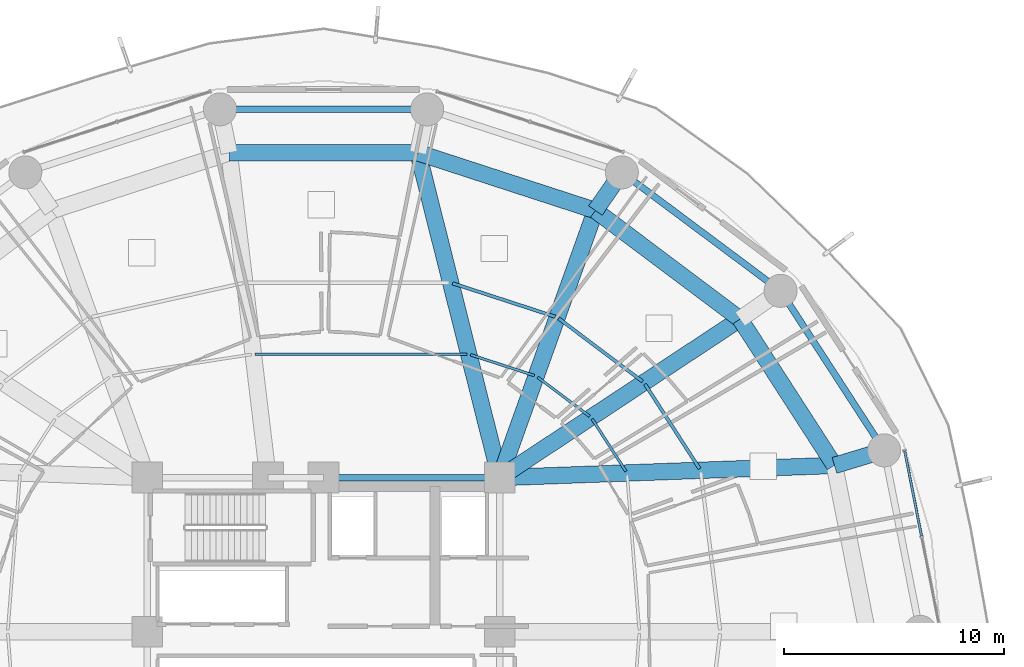
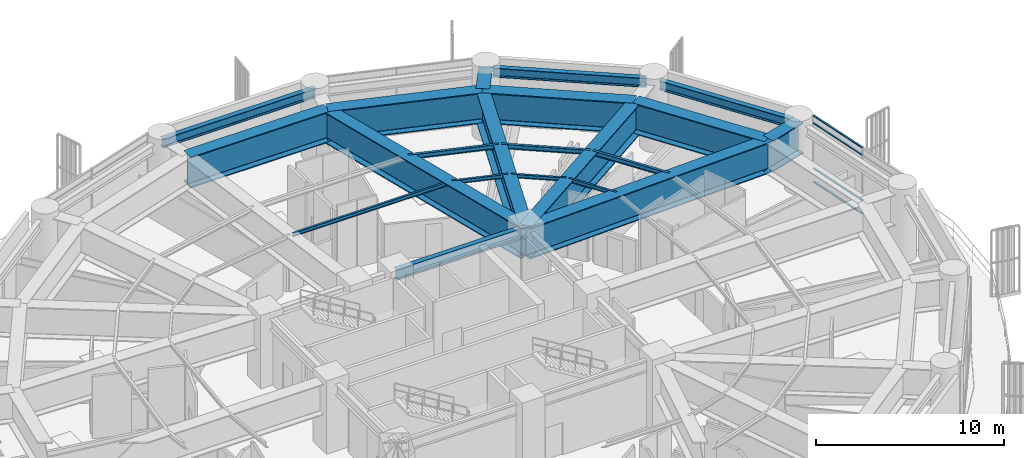
# One storey, part 17 of 31: 21 beams, 4 members, 1 element without a shape of its own.
"""IFC4 building model written with IfcOpenShell, lengths in metres."""

from ifc_helpers import new_model, si_unit, direction, frame, origin, origin_2d, place, context, subcontext, project, spatial, hollow_rectangle, i_section, extrude, material, layer, layer_set, material_profile, profile_set, type_object, element, aggregate, save


model = new_model("IFC4")

# Units and contexts
model_context = context("Model", 3, precision=1e-05, world=origin(), true_north=direction((0.0, 1.0)))
body_context = subcontext(model_context, "Body", "Model", "MODEL_VIEW")
ifc_project = project(units=[si_unit("LENGTHUNIT", "METRE"), si_unit("AREAUNIT", "SQUARE_METRE"), si_unit("VOLUMEUNIT", "CUBIC_METRE"), si_unit("PLANEANGLEUNIT", "RADIAN"), si_unit("MASSUNIT", "GRAM", prefix="KILO")], contexts=[model_context])

# Site, building, storey
site_placement = place(None, origin())
site = spatial("IfcSite", under=ifc_project, at=site_placement, CompositionType="ELEMENT")
building_placement = place(site_placement, origin())
building = spatial("IfcBuilding", under=site, at=building_placement, Name="Kelanora Arch Commons", CompositionType="ELEMENT")
storey_placement = place(building_placement, frame((0.0, 0.0, 67.5)))
storey = spatial("IfcBuildingStorey", under=building, at=storey_placement, Name="L17", CompositionType="ELEMENT", Elevation=67.5)

# Beams
ifc_material_1 = material(Name="Steel S355", Category="steel")
ifc_material_profile_1 = material_profile(ifc_material_1, i_section(OverallWidth=0.300048828125, OverallDepth=0.699951171875, WebThickness=0.01708984375, FlangeThickness=0.031982421875, FilletRadius=0.027099609375, at=origin_2d()), Name="HEB700")
ifc_profile_set_1 = profile_set([ifc_material_profile_1], Name="Steel S355")
beam_type_1 = type_object("IfcBeamType", Name="BM-CORE-HDR", PredefinedType="BEAM", material=ifc_profile_set_1)
beam_1_placement = place(storey_placement, frame((82.0, 65.0, 4.010009765625), z_axis=(-1.0, 0.0, 0.0), x_axis=(0.0, -1.0, 0.0)))
element("IfcBeam", 1, at=beam_1_placement, inside=storey, type_object=beam_type_1, Name="Core Header Beam 05 L17", PredefinedType="BEAM", context=body_context, shape_type="SweptSolid", body=[
    extrude(i_section(OverallWidth=0.300048828125, OverallDepth=0.699951171875, WebThickness=0.01708984375, FlangeThickness=0.031982421875, FilletRadius=0.027099609375, at=origin_2d()), origin(), (0.0, 0.0, 1.0), 8.0),
])
ifc_material_profile_2 = material_profile(ifc_material_1, i_section(OverallWidth=0.14990234375, OverallDepth=0.300048828125, WebThickness=0.007080078125, FlangeThickness=0.0107421875, FilletRadius=0.014892578125, at=origin_2d()), Name="IPE300")
ifc_profile_set_2 = profile_set([ifc_material_profile_2], Name="Steel S355")
beam_type_2 = type_object("IfcBeamType", Name="BM-JST-01", PredefinedType="JOIST", material=ifc_profile_set_2)
beam_2_placement = place(storey_placement, frame((91.06884765625, 65.402587890625, 4.2099609375), z_axis=(-0.542230243286, 0.840229946661, 0.0), x_axis=(-0.840229946661, -0.542230243286, 0.0)))
element("IfcBeam", 2, at=beam_2_placement, inside=storey, type_object=beam_type_2, Name="Secondary Chord Joist BJB-02 L17", PredefinedType="JOIST", context=body_context, shape_type="SweptSolid", body=[
    extrude(i_section(OverallWidth=0.14990234375, OverallDepth=0.300048828125, WebThickness=0.007080078125, FlangeThickness=0.0107421875, FilletRadius=0.014892578125, at=origin_2d()), origin(), (0.0, 0.0, 1.0), 4.572265625),
])
beam_3_placement = place(storey_placement, frame((88.4755859375, 69.36669921875, 4.2099609375), z_axis=(-0.79971039107, 0.600385951214, 0.0), x_axis=(-0.600385951214, -0.79971039107, 0.0)))
element("IfcBeam", 3, at=beam_3_placement, inside=storey, type_object=beam_type_2, Name="Secondary Chord Joist BJB-04 L17", PredefinedType="JOIST", context=body_context, shape_type="SweptSolid", body=[
    extrude(i_section(OverallWidth=0.14990234375, OverallDepth=0.300048828125, WebThickness=0.007080078125, FlangeThickness=0.0107421875, FilletRadius=0.014892578125, at=origin_2d()), origin(), (0.0, 0.0, 1.0), 4.756103515625),
])
beam_4_placement = place(storey_placement, frame((84.523193359375, 72.29931640625, 4.2099609375), z_axis=(-0.950857140254, 0.309629938521, 0.0), x_axis=(-0.309629938521, -0.950857140254, 0.0)))
element("IfcBeam", 4, at=beam_4_placement, inside=storey, type_object=beam_type_2, Name="Secondary Chord Joist BJB-06 L17", PredefinedType="JOIST", context=body_context, shape_type="SweptSolid", body=[
    extrude(i_section(OverallWidth=0.14990234375, OverallDepth=0.300048828125, WebThickness=0.007080078125, FlangeThickness=0.0107421875, FilletRadius=0.014892578125, at=origin_2d()), origin(), (0.0, 0.0, 1.0), 4.912353515625),
])
ifc_material_profile_3 = material_profile(ifc_material_1, i_section(OverallWidth=0.1201171875, OverallDepth=0.239990234375, WebThickness=0.006103515625, FlangeThickness=0.009765625, FilletRadius=0.014892578125, at=origin_2d()), Name="IPE240")
ifc_profile_set_3 = profile_set([ifc_material_profile_3], Name="Steel S355")
beam_type_3 = type_object("IfcBeamType", Name="BM-JST-02", PredefinedType="JOIST", material=ifc_profile_set_3)
beam_5_placement = place(storey_placement, frame((87.726806640625, 65.281005859375, 4.239990234375), z_axis=(-0.542211255502, 0.840242199849, 0.0), x_axis=(-0.840242199849, -0.542211255502, 0.0)))
element("IfcBeam", 5, at=beam_5_placement, inside=storey, type_object=beam_type_3, Name="Secondary Chord Joist BJA-02 L17", PredefinedType="JOIST", context=body_context, shape_type="SweptSolid", body=[
    extrude(i_section(OverallWidth=0.1201171875, OverallDepth=0.239990234375, WebThickness=0.006103515625, FlangeThickness=0.009765625, FilletRadius=0.014892578125, at=origin_2d()), origin(), (0.0, 0.0, 1.0), 2.83349609375),
])
beam_6_placement = place(storey_placement, frame((86.076416015625, 67.7841796875, 4.239990234375), z_axis=(-0.799692034361, 0.600410401458, 0.0), x_axis=(-0.600410401458, -0.799692034361, 0.0)))
element("IfcBeam", 6, at=beam_6_placement, inside=storey, type_object=beam_type_3, Name="Secondary Chord Joist BJA-04 L17", PredefinedType="JOIST", context=body_context, shape_type="SweptSolid", body=[
    extrude(i_section(OverallWidth=0.1201171875, OverallDepth=0.239990234375, WebThickness=0.006103515625, FlangeThickness=0.009765625, FilletRadius=0.014892578125, at=origin_2d()), origin(), (0.0, 0.0, 1.0), 2.949951171875),
])
beam_7_placement = place(storey_placement, frame((83.568359375, 69.632568359375, 4.239990234375), z_axis=(-0.950846758946, 0.309661817151, 0.0), x_axis=(-0.309661817151, -0.950846758946, 0.0)))
element("IfcBeam", 7, at=beam_7_placement, inside=storey, type_object=beam_type_3, Name="Secondary Chord Joist BJA-06 L17", PredefinedType="JOIST", context=body_context, shape_type="SweptSolid", body=[
    extrude(i_section(OverallWidth=0.1201171875, OverallDepth=0.239990234375, WebThickness=0.006103515625, FlangeThickness=0.009765625, FilletRadius=0.014892578125, at=origin_2d()), origin(), (0.0, 0.0, 1.0), 3.048828125),
])
beam_8_placement = place(storey_placement, frame((80.50341796875, 70.602783203125, 4.239990234375), z_axis=(-1.0, 0.0, 0.0), x_axis=(0.0, -1.0, 0.0)))
element("IfcBeam", 8, at=beam_8_placement, inside=storey, type_object=beam_type_3, Name="Secondary Chord Joist BJA-08 L17", PredefinedType="JOIST", context=body_context, shape_type="SweptSolid", body=[
    extrude(i_section(OverallWidth=0.1201171875, OverallDepth=0.239990234375, WebThickness=0.006103515625, FlangeThickness=0.009765625, FilletRadius=0.014892578125, at=origin_2d()), origin(), (0.0, 0.0, 1.0), 9.609375),
])
ifc_material_profile_4 = material_profile(ifc_material_1, i_section(OverallWidth=0.300048828125, OverallDepth=0.60009765625, WebThickness=0.015380859375, FlangeThickness=0.030029296875, FilletRadius=0.027099609375, at=origin_2d()), Name="HEB600")
ifc_profile_set_4 = profile_set([ifc_material_profile_4], Name="Steel S355")
beam_type_4 = type_object("IfcBeamType", Name="BM-SPN-Z1", PredefinedType="SPANDREL", material=ifc_profile_set_4)
beam_9_placement = place(storey_placement, frame((99.239990234375, 66.554443359375, 4.06005859375), z_axis=(-0.54455786519, 0.838723274662, 0.0), x_axis=(-0.838723274662, -0.54455786519, 0.0)))
element("IfcBeam", 9, at=beam_9_placement, inside=storey, type_object=beam_type_4, Name="Perimeter Spandrel Beam BS-02 L17", PredefinedType="SPANDREL", context=body_context, shape_type="SweptSolid", body=[
    extrude(i_section(OverallWidth=0.300048828125, OverallDepth=0.60009765625, WebThickness=0.015380859375, FlangeThickness=0.030029296875, FilletRadius=0.027099609375, at=origin_2d()), origin(), (0.0, 0.0, 1.0), 7.875244140625),
])
beam_10_placement = place(storey_placement, frame((94.43994140625, 73.70556640625, 4.06005859375), z_axis=(-0.801482139897, 0.598018711601, 0.0), x_axis=(-0.598018711601, -0.801482139897, 0.0)))
element("IfcBeam", 10, at=beam_10_placement, inside=storey, type_object=beam_type_4, Name="Perimeter Spandrel Beam BS-04 L17", PredefinedType="SPANDREL", context=body_context, shape_type="SweptSolid", body=[
    extrude(i_section(OverallWidth=0.300048828125, OverallDepth=0.60009765625, WebThickness=0.015380859375, FlangeThickness=0.030029296875, FilletRadius=0.027099609375, at=origin_2d()), origin(), (0.0, 0.0, 1.0), 8.22900390625),
])
beam_11_placement = place(storey_placement, frame((78.702392578125, 81.714111328125, 4.06005859375), z_axis=(-1.0, 0.0, 0.0), x_axis=(0.0, -1.0, 0.0)))
element("IfcBeam", 11, at=beam_11_placement, inside=storey, type_object=beam_type_4, Name="Perimeter Spandrel Beam BS-08 L17", PredefinedType="SPANDREL", context=body_context, shape_type="SweptSolid", body=[
    extrude(i_section(OverallWidth=0.300048828125, OverallDepth=0.60009765625, WebThickness=0.015380859375, FlangeThickness=0.030029296875, FilletRadius=0.027099609375, at=origin_2d()), origin(), (0.0, 0.0, 1.0), 9.40478515625),
])
ifc_material_profile_5 = material_profile(ifc_material_1, i_section(OverallWidth=0.75, OverallDepth=2.0, WebThickness=0.034912109375, FlangeThickness=0.06005859375, FilletRadius=0.028076171875, at=origin_2d()), Name="PG2000x750")
ifc_profile_set_5 = profile_set([ifc_material_profile_5], Name="Steel S355")
beam_type_5 = type_object("IfcBeamType", Name="BM-XFER-SET", PredefinedType="USERDEFINED", material=ifc_profile_set_5)
beam_12_placement = place(storey_placement, frame((82.0, 65.0, 3.360107421875), z_axis=(0.999341087625, 0.036295875581, 0.0), x_axis=(-0.036295875581, 0.999341087625, 0.0)))
element("IfcBeam", 12, at=beam_12_placement, inside=storey, type_object=beam_type_5, Name="Setback Radial Transfer Girder BRI-02 L17", ObjectType="TRANSFER_GIRDER", PredefinedType="USERDEFINED", context=body_context, shape_type="SweptSolid", body=[
    extrude(i_section(OverallWidth=0.75, OverallDepth=2.0, WebThickness=0.034912109375, FlangeThickness=0.06005859375, FilletRadius=0.028076171875, at=origin_2d()), origin(), (0.0, 0.0, 1.0), 15.20166015625),
])
beam_13_placement = place(storey_placement, frame((97.191650390625, 65.5517578125, 3.360107421875), z_axis=(0.956949447341, 0.290254638607, 0.0), x_axis=(-0.290254638607, 0.956949447341, 0.0)))
element("IfcBeam", 13, at=beam_13_placement, inside=storey, type_object=beam_type_5, Name="Radial Floor Girder BR-02 L17", ObjectType="TRANSFER_GIRDER", PredefinedType="USERDEFINED", context=body_context, shape_type="SweptSolid", body=[
    extrude(i_section(OverallWidth=0.75, OverallDepth=2.0, WebThickness=0.034912109375, FlangeThickness=0.06005859375, FilletRadius=0.028076171875, at=origin_2d()), origin(), (0.0, 0.0, 1.0), 2.35693359375),
])
beam_14_placement = place(storey_placement, frame((82.0, 65.0, 3.360107421875), z_axis=(0.834788577908, 0.550570640512, 0.0), x_axis=(-0.550570640512, 0.834788577908, 0.0)))
element("IfcBeam", 14, at=beam_14_placement, inside=storey, type_object=beam_type_5, Name="Setback Radial Transfer Girder BRI-04 L17", ObjectType="TRANSFER_GIRDER", PredefinedType="USERDEFINED", context=body_context, shape_type="SweptSolid", body=[
    extrude(i_section(OverallWidth=0.75, OverallDepth=2.0, WebThickness=0.034912109375, FlangeThickness=0.06005859375, FilletRadius=0.028076171875, at=origin_2d()), origin(), (0.0, 0.0, 1.0), 13.064453125),
])
beam_15_placement = place(storey_placement, frame((82.0, 65.0, 3.360107421875), z_axis=(0.337084640008, 0.941474346687, 0.0), x_axis=(-0.941474346687, 0.337084640008, 0.0)))
element("IfcBeam", 15, at=beam_15_placement, inside=storey, type_object=beam_type_5, Name="Setback Radial Transfer Girder BRI-06 L17", ObjectType="TRANSFER_GIRDER", PredefinedType="USERDEFINED", context=body_context, shape_type="SweptSolid", body=[
    extrude(i_section(OverallWidth=0.75, OverallDepth=2.0, WebThickness=0.034912109375, FlangeThickness=0.06005859375, FilletRadius=0.028076171875, at=origin_2d()), origin(), (0.0, 0.0, 1.0), 12.875244140625),
])
beam_16_placement = place(storey_placement, frame((86.340087890625, 77.121826171875, 3.360107421875), z_axis=(0.569450942775, 0.822025318207, 0.0), x_axis=(-0.822025318207, 0.569450942775, 0.0)))
element("IfcBeam", 16, at=beam_16_placement, inside=storey, type_object=beam_type_5, Name="Radial Floor Girder BR-06 L17", ObjectType="TRANSFER_GIRDER", PredefinedType="USERDEFINED", context=body_context, shape_type="SweptSolid", body=[
    extrude(i_section(OverallWidth=0.75, OverallDepth=2.0, WebThickness=0.034912109375, FlangeThickness=0.06005859375, FilletRadius=0.028076171875, at=origin_2d()), origin(), (0.0, 0.0, 1.0), 2.107177734375),
])
beam_17_placement = place(storey_placement, frame((82.0, 65.0, 3.360107421875), z_axis=(-0.244280647475, 0.969704576286, 0.0), x_axis=(-0.969704576286, -0.244280647475, 0.0)))
element("IfcBeam", 17, at=beam_17_placement, inside=storey, type_object=beam_type_5, Name="Setback Radial Transfer Girder BRI-08 L17", ObjectType="TRANSFER_GIRDER", PredefinedType="USERDEFINED", context=body_context, shape_type="SweptSolid", body=[
    extrude(i_section(OverallWidth=0.75, OverallDepth=2.0, WebThickness=0.034912109375, FlangeThickness=0.06005859375, FilletRadius=0.028076171875, at=origin_2d()), origin(), (0.0, 0.0, 1.0), 15.205322265625),
])
beam_18_placement = place(storey_placement, frame((97.191650390625, 65.5517578125, 3.360107421875), z_axis=(-0.542221144054, 0.840235818649, 0.0), x_axis=(-0.840235818649, -0.542221144054, 0.0)))
element("IfcBeam", 18, at=beam_18_placement, inside=storey, type_object=beam_type_5, Name="Setback Inner Transfer Ring BSI-02 L17", ObjectType="TRANSFER_GIRDER", PredefinedType="USERDEFINED", context=body_context, shape_type="SweptSolid", body=[
    extrude(i_section(OverallWidth=0.75, OverallDepth=2.0, WebThickness=0.034912109375, FlangeThickness=0.06005859375, FilletRadius=0.028076171875, at=origin_2d()), origin(), (0.0, 0.0, 1.0), 7.90380859375),
])
beam_19_placement = place(storey_placement, frame((92.906005859375, 72.19287109375, 3.360107421875), z_axis=(-0.799735861602, 0.600352023123, 0.0), x_axis=(-0.600352023123, -0.799735861602, 0.0)))
element("IfcBeam", 19, at=beam_19_placement, inside=storey, type_object=beam_type_5, Name="Setback Inner Transfer Ring BSI-04 L17", ObjectType="TRANSFER_GIRDER", PredefinedType="USERDEFINED", context=body_context, shape_type="SweptSolid", body=[
    extrude(i_section(OverallWidth=0.75, OverallDepth=2.0, WebThickness=0.034912109375, FlangeThickness=0.06005859375, FilletRadius=0.028076171875, at=origin_2d()), origin(), (0.0, 0.0, 1.0), 8.210205078125),
])
beam_20_placement = place(storey_placement, frame((86.340087890625, 77.121826171875, 3.360107421875), z_axis=(-0.950856631974, 0.309631499418, 0.0), x_axis=(-0.309631499418, -0.950856631974, 0.0)))
element("IfcBeam", 20, at=beam_20_placement, inside=storey, type_object=beam_type_5, Name="Setback Inner Transfer Ring BSI-06 L17", ObjectType="TRANSFER_GIRDER", PredefinedType="USERDEFINED", context=body_context, shape_type="SweptSolid", body=[
    extrude(i_section(OverallWidth=0.75, OverallDepth=2.0, WebThickness=0.034912109375, FlangeThickness=0.06005859375, FilletRadius=0.028076171875, at=origin_2d()), origin(), (0.0, 0.0, 1.0), 8.470703125),
])
beam_21_placement = place(storey_placement, frame((78.28564453125, 79.74462890625, 3.360107421875), z_axis=(-1.0, 0.0, 0.0), x_axis=(0.0, -1.0, 0.0)))
element("IfcBeam", 21, at=beam_21_placement, inside=storey, type_object=beam_type_5, Name="Setback Inner Transfer Ring BSI-08 L17", ObjectType="TRANSFER_GIRDER", PredefinedType="USERDEFINED", context=body_context, shape_type="SweptSolid", body=[
    extrude(i_section(OverallWidth=0.75, OverallDepth=2.0, WebThickness=0.034912109375, FlangeThickness=0.06005859375, FilletRadius=0.028076171875, at=origin_2d()), origin(), (0.0, 0.0, 1.0), 8.5712890625),
])

# Curtain wall, members
ifc_material_2 = material(Name="Terracotta ceramic-fritted low-E glass and aluminium", Category="masonry")
ifc_layer = layer(ifc_material_2, 0.159912109375)
ifc_layer_set = layer_set([ifc_layer], Name="Terracotta ceramic-fritted low-E glass and aluminium")
curtain_wall_type = type_object("IfcCurtainWallType", Name="CW-SYS-01", PredefinedType="NOTDEFINED", material=ifc_layer_set)
curtain_wall_placement = place(storey_placement, origin())
curtain_wall = element("IfcCurtainWall", 22, at=curtain_wall_placement, inside=storey, type_object=curtain_wall_type, Name="Unitised Curtain Wall L17-B00", PredefinedType="NOTDEFINED")
ifc_material_3 = material(Name="Powder-coated aluminium terracotta", Category="masonry")
ifc_material_profile_6 = material_profile(ifc_material_3, hollow_rectangle(XDim=0.1201171875, YDim=0.06005859375, WallThickness=0.0048828125, InnerFilletRadius=0.0048828125, OuterFilletRadius=0.010009765625, at=origin_2d()), Name="CWT120x60")
ifc_profile_set_6 = profile_set([ifc_material_profile_6], Name="Powder-coated aluminium terracotta")
member_type = type_object("IfcMemberType", Name="CWT-STD", PredefinedType="USERDEFINED", material=ifc_profile_set_6)
member_1_placement = place(storey_placement, frame((101.142578125, 62.3408203125, 0.030029296875), z_axis=(-0.193725436624, 0.98105578598, 0.0), x_axis=(-0.98105578598, -0.193725436624, 0.0)))
member_1 = element("IfcMember", 23, at=member_1_placement, type_object=member_type, Name="CW-01 transom 2.1", ObjectType="TRANSOM", PredefinedType="USERDEFINED", context=body_context, shape_type="SweptSolid", body=[
    extrude(hollow_rectangle(XDim=0.1201171875, YDim=0.06005859375, WallThickness=0.0048828125, InnerFilletRadius=0.0048828125, OuterFilletRadius=0.010009765625, at=origin_2d()), origin(), (0.0, 0.0, 1.0), 3.9482421875),
])
member_2_placement = place(storey_placement, frame((101.142578125, 62.3408203125, 0.89990234375), z_axis=(-0.193725436624, 0.98105578598, 0.0), x_axis=(-0.98105578598, -0.193725436624, 0.0)))
member_2 = element("IfcMember", 24, at=member_2_placement, type_object=member_type, Name="CW-01 transom 2.2", ObjectType="TRANSOM", PredefinedType="USERDEFINED", context=body_context, shape_type="SweptSolid", body=[
    extrude(hollow_rectangle(XDim=0.1201171875, YDim=0.06005859375, WallThickness=0.0048828125, InnerFilletRadius=0.0048828125, OuterFilletRadius=0.010009765625, at=origin_2d()), origin(), (0.0, 0.0, 1.0), 3.9482421875),
])
member_3_placement = place(storey_placement, frame((101.142578125, 62.3408203125, 3.844970703125), z_axis=(-0.193725436624, 0.98105578598, 0.0), x_axis=(-0.98105578598, -0.193725436624, 0.0)))
member_3 = element("IfcMember", 25, at=member_3_placement, type_object=member_type, Name="CW-01 transom 2.3", ObjectType="TRANSOM", PredefinedType="USERDEFINED", context=body_context, shape_type="SweptSolid", body=[
    extrude(hollow_rectangle(XDim=0.1201171875, YDim=0.06005859375, WallThickness=0.0048828125, InnerFilletRadius=0.0048828125, OuterFilletRadius=0.010009765625, at=origin_2d()), origin(), (0.0, 0.0, 1.0), 3.9482421875),
])
member_4_placement = place(storey_placement, frame((101.142578125, 62.3408203125, 4.31494140625), z_axis=(-0.193725436624, 0.98105578598, 0.0), x_axis=(-0.98105578598, -0.193725436624, 0.0)))
member_4 = element("IfcMember", 26, at=member_4_placement, type_object=member_type, Name="CW-01 transom 2.4", ObjectType="TRANSOM", PredefinedType="USERDEFINED", context=body_context, shape_type="SweptSolid", body=[
    extrude(hollow_rectangle(XDim=0.1201171875, YDim=0.06005859375, WallThickness=0.0048828125, InnerFilletRadius=0.0048828125, OuterFilletRadius=0.010009765625, at=origin_2d()), origin(), (0.0, 0.0, 1.0), 3.9482421875),
])
aggregate(curtain_wall, [member_1, member_2, member_3, member_4])

save(model, "model.ifc")
